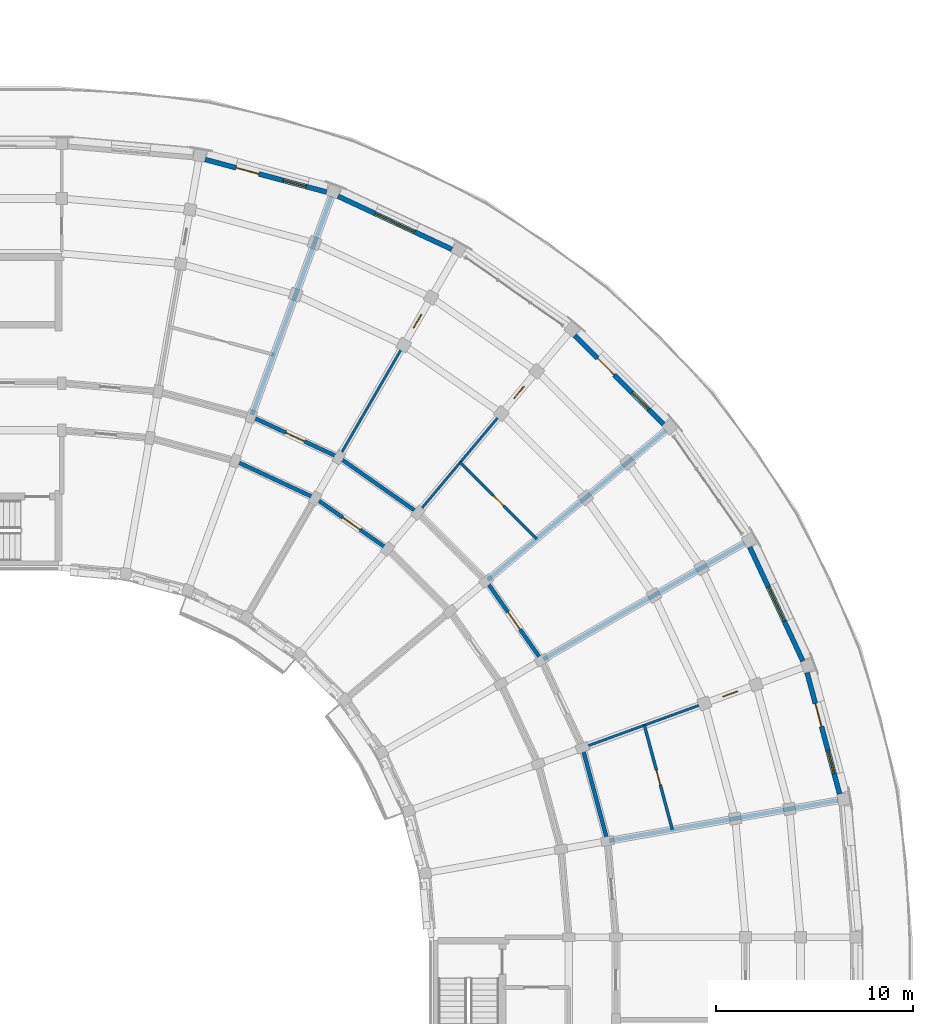
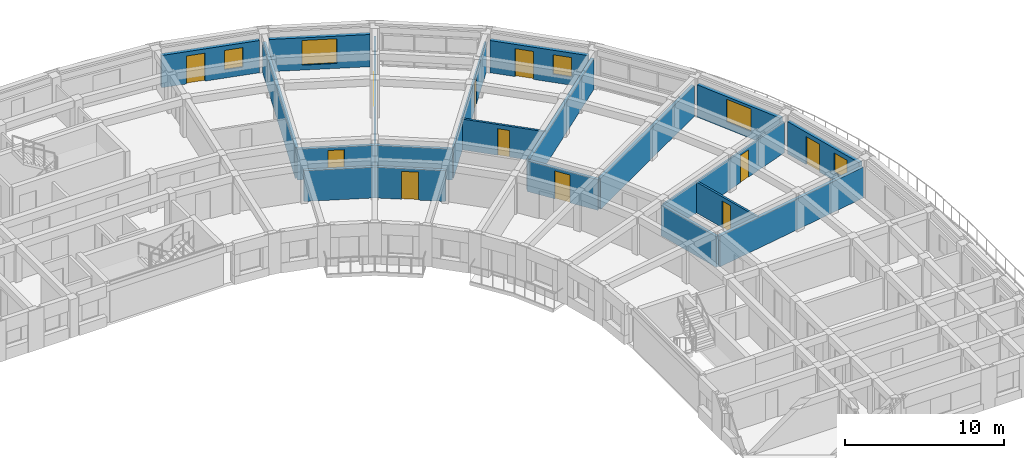
# One storey, part 27 of 41: 20 walls, 11 doors, 5 windows, 16 openings.
"""IFC4 building model written with IfcOpenShell, lengths in metres."""

from ifc_helpers import new_model, si_unit, direction, frame, frame_2d, origin, place, context, subcontext, project, spatial, rectangle, extrude, material, layer, layer_set, type_object, element, fill, save


model = new_model("IFC4")

# Units and contexts
model_context = context("Model", 3, precision=1e-05, world=origin(), true_north=direction((0.0, 1.0)))
body_context = subcontext(model_context, "Body", "Model", "MODEL_VIEW")
ifc_project = project(units=[si_unit("LENGTHUNIT", "METRE"), si_unit("AREAUNIT", "SQUARE_METRE"), si_unit("VOLUMEUNIT", "CUBIC_METRE"), si_unit("PLANEANGLEUNIT", "RADIAN"), si_unit("MASSUNIT", "GRAM", prefix="KILO")], contexts=[model_context])

# Site, building, storey
site_placement = place(None, origin())
site = spatial("IfcSite", under=ifc_project, at=site_placement, CompositionType="ELEMENT")
building_placement = place(site_placement, origin())
building = spatial("IfcBuilding", under=site, at=building_placement, Name="Kiranvali Square Residences", CompositionType="ELEMENT")
storey_placement = place(building_placement, frame((0.0, 0.0, 33.89990234375)))
storey = spatial("IfcBuildingStorey", under=building, at=storey_placement, Name="L10", CompositionType="ELEMENT", Elevation=33.89990234375)

# Wall
ifc_material_1 = material(Name="Autoclaved aerated concrete blockwork masonry", Category="masonry")
ifc_layer_1 = layer(ifc_material_1, 0.199951171875)
ifc_layer_set_1 = layer_set([ifc_layer_1], Name="Autoclaved aerated concrete blockwork masonry")
wall_type_1 = type_object("IfcWallType", Name="WL-COR-200", PredefinedType="STANDARD", material=ifc_layer_set_1)
wall_1_placement = place(storey_placement, frame((128.6240234375, 112.044189453125, 0.0), z_axis=(0.0, 0.0, 1.0), x_axis=(0.906307919131, -0.422617978463, 0.0)))
element("IfcWall", 1, at=wall_1_placement, inside=storey, type_object=wall_type_1, Name="L10 architectural wall WL-L10-B-CCI-2", PredefinedType="STANDARD", context=body_context, shape_type="SweptSolid", body=[
    extrude(rectangle(XDim=4.497314453125, YDim=0.199951171875, at=frame_2d((2.24853515625, 0.0))), origin(), (0.0, 0.0, 1.0), 2.3720703125),
])

# Wall, opening, door
wall_2_placement = place(storey_placement, frame((129.445068359375, 114.29931640625, 0.0), z_axis=(0.0, 0.0, 1.0), x_axis=(0.906302381024, -0.422629854778, 0.0)))
wall_2 = element("IfcWall", 2, at=wall_2_placement, inside=storey, type_object=wall_type_1, Name="L10 architectural wall WL-L10-B-CCO-2", PredefinedType="STANDARD", context=body_context, shape_type="SweptSolid", body=[
    extrude(rectangle(XDim=4.915283203125, YDim=0.199951171875, at=frame_2d((2.45751953125, 0.0))), origin(), (0.0, 0.0, 1.0), 2.3720703125),
])
opening_1_placement = place(wall_2_placement, frame((1.937744140625, 0.0, 0.0)))
opening_1 = element("IfcOpeningElement", 3, at=opening_1_placement, cuts=wall_2, Name="Opening FD-APT-60B", PredefinedType="OPENING", context=body_context, shape_type="SweptSolid", body=[
    extrude(rectangle(XDim=1.0400390625, YDim=2.14990234375, at=frame_2d((0.52001953125, 1.074951171875))), frame((0.0, 0.10986328125, 0.0), z_axis=(0.0, -1.0, 0.0), x_axis=(1.0, 0.0, 0.0)), (0.0, 0.0, 1.0), 0.219970703125),
])
ifc_material_2 = material(Name="Fire-rated acoustic hardwood and mineral-core door assembly", Category="wood")
door_type_1 = type_object("IfcDoorType", Name="DR-APT-1040", OperationType="NOTDEFINED", PredefinedType="DOOR", material=ifc_material_2)
door_1_placement = place(opening_1_placement, origin())
door_1 = element("IfcDoor", 4, at=door_1_placement, inside=storey, type_object=door_type_1, Name="L10 door DR-L10-1611 (DR-APT-1040)", OperationType="SINGLE_SWING_LEFT", OverallHeight=2.14990234375, OverallWidth=1.0400390625, PredefinedType="DOOR", context=body_context, shape_type="SweptSolid", body=[
    extrude(rectangle(XDim=1.0400390625, YDim=2.14990234375, at=frame_2d((0.52001953125, 1.074951171875))), frame((0.0, 0.02490234375, 0.0), z_axis=(0.0, -1.0, 0.0), x_axis=(1.0, 0.0, 0.0)), (0.0, 0.0, 1.0), 0.050048828125),
])
fill(opening_1, door_1)

wall_3_placement = place(storey_placement, frame((132.699951171875, 110.1435546875, 0.0), z_axis=(0.0, 0.0, 1.0), x_axis=(0.819155404658, -0.573571637217, 0.0)))
wall_3 = element("IfcWall", 5, at=wall_3_placement, inside=storey, type_object=wall_type_1, Name="L10 architectural wall WL-L10-B-CCI-3", PredefinedType="STANDARD", context=body_context, shape_type="SweptSolid", body=[
    extrude(rectangle(XDim=4.497314453125, YDim=0.199951171875, at=frame_2d((2.24853515625, 0.0))), origin(), (0.0, 0.0, 1.0), 2.3720703125),
])
opening_2_placement = place(wall_3_placement, frame((1.708740234375, 0.0, 0.0)))
opening_2 = element("IfcOpeningElement", 6, at=opening_2_placement, cuts=wall_3, Name="Opening FD-APT-60C", PredefinedType="OPENING", context=body_context, shape_type="SweptSolid", body=[
    extrude(rectangle(XDim=1.080078125, YDim=2.14990234375, at=frame_2d((0.5400390625, 1.074951171875))), frame((0.0, 0.10986328125, 0.0), z_axis=(0.0, -1.0, 0.0), x_axis=(1.0, 0.0, 0.0)), (0.0, 0.0, 1.0), 0.219970703125),
])
door_type_2 = type_object("IfcDoorType", Name="DR-APT-1080", OperationType="NOTDEFINED", PredefinedType="DOOR", material=ifc_material_2)
door_2_placement = place(opening_2_placement, frame((1.080078125, 0.0, 0.0), z_axis=(0.0, 0.0, 1.0), x_axis=(-1.0, 0.0, 0.0)))
door_2 = element("IfcDoor", 7, at=door_2_placement, inside=storey, type_object=door_type_2, Name="L10 door DR-L10-1618 (DR-APT-1080)", OperationType="SINGLE_SWING_RIGHT", OverallHeight=2.14990234375, OverallWidth=1.080078125, PredefinedType="DOOR", context=body_context, shape_type="SweptSolid", body=[
    extrude(rectangle(XDim=1.080078125, YDim=2.14990234375, at=frame_2d((0.5400390625, 1.074951171875))), frame((0.0, 0.02490234375, 0.0), z_axis=(0.0, -1.0, 0.0), x_axis=(1.0, 0.0, 0.0)), (0.0, 0.0, 1.0), 0.050048828125),
])
fill(opening_2, door_2)

# Wall
wall_4_placement = place(storey_placement, frame((133.89990234375, 112.221923828125, 0.0), z_axis=(0.0, 0.0, 1.0), x_axis=(0.819140911474, -0.573592335331, 0.0)))
element("IfcWall", 8, at=wall_4_placement, inside=storey, type_object=wall_type_1, Name="L10 architectural wall WL-L10-B-CCO-3", PredefinedType="STANDARD", context=body_context, shape_type="SweptSolid", body=[
    extrude(rectangle(XDim=4.915771484375, YDim=0.199951171875, at=frame_2d((2.4580078125, 0.0))), origin(), (0.0, 0.0, 1.0), 2.3720703125),
])

# Wall, opening, door
wall_5_placement = place(storey_placement, frame((141.40234375, 105.926513671875, 0.0), z_axis=(0.0, 0.0, 1.0), x_axis=(0.573592335331, -0.819140911474, 0.0)))
wall_5 = element("IfcWall", 9, at=wall_5_placement, inside=storey, type_object=wall_type_1, Name="L10 architectural wall WL-L10-B-CCO-5", PredefinedType="STANDARD", context=body_context, shape_type="SweptSolid", body=[
    extrude(rectangle(XDim=4.915771484375, YDim=0.199951171875, at=frame_2d((2.4580078125, 0.0))), origin(), (0.0, 0.0, 1.0), 2.3720703125),
])
opening_3_placement = place(wall_5_placement, frame((1.917724609375, 0.0, 0.0)))
opening_3 = element("IfcOpeningElement", 10, at=opening_3_placement, cuts=wall_5, Name="Opening FD-APT-60C", PredefinedType="OPENING", context=body_context, shape_type="SweptSolid", body=[
    extrude(rectangle(XDim=1.080078125, YDim=2.14990234375, at=frame_2d((0.5400390625, 1.074951171875))), frame((0.0, 0.10986328125, 0.0), z_axis=(0.0, -1.0, 0.0), x_axis=(1.0, 0.0, 0.0)), (0.0, 0.0, 1.0), 0.219970703125),
])
door_3_placement = place(opening_3_placement, origin())
door_3 = element("IfcDoor", 11, at=door_3_placement, inside=storey, type_object=door_type_2, Name="L10 door DR-L10-1613 (DR-APT-1080)", OperationType="SINGLE_SWING_LEFT", OverallHeight=2.14990234375, OverallWidth=1.080078125, PredefinedType="DOOR", context=body_context, shape_type="SweptSolid", body=[
    extrude(rectangle(XDim=1.080078125, YDim=2.14990234375, at=frame_2d((0.5400390625, 1.074951171875))), frame((0.0, 0.02490234375, 0.0), z_axis=(0.0, -1.0, 0.0), x_axis=(1.0, 0.0, 0.0)), (0.0, 0.0, 1.0), 0.050048828125),
])
fill(opening_3, door_3)

# Walls
wall_6_placement = place(storey_placement, frame((146.29931640625, 97.445068359375, 0.0), z_axis=(0.0, 0.0, 1.0), x_axis=(0.258803112091, -0.965930095386, 0.0)))
element("IfcWall", 12, at=wall_6_placement, inside=storey, type_object=wall_type_1, Name="L10 architectural wall WL-L10-B-CCO-7", PredefinedType="STANDARD", context=body_context, shape_type="SweptSolid", body=[
    extrude(rectangle(XDim=4.915771484375, YDim=0.199951171875, at=frame_2d((2.4580078125, 0.0))), origin(), (0.0, 0.0, 1.0), 2.3720703125),
])
ifc_layer_2 = layer(ifc_material_1, 0.219970703125)
ifc_layer_set_2 = layer_set([ifc_layer_2], Name="Autoclaved aerated concrete blockwork masonry")
wall_type_2 = type_object("IfcWallType", Name="WL-DEM-220", PredefinedType="STANDARD", material=ifc_layer_set_2)
wall_7_placement = place(storey_placement, frame((129.479248046875, 114.393310546875, 0.0), z_axis=(0.0, 0.0, 1.0), x_axis=(0.342005081534, 0.939698102693, 0.0)))
element("IfcWall", 13, at=wall_7_placement, inside=storey, type_object=wall_type_2, Name="L10 architectural wall WL-L10-B-RADO-2", PredefinedType="STANDARD", context=body_context, shape_type="SweptSolid", body=[
    extrude(rectangle(XDim=11.81982421875, YDim=0.219970703125, at=frame_2d((5.909912109375, 0.0))), origin(), (0.0, 0.0, 1.0), 2.3720703125),
])
for number, where, z_axis, x_axis, name in (
    (14, (141.47900390625, 105.990966796875, 0.0), (0.0, 0.0, 1.0), (0.766049804211, 0.642781220531, 0.0), "L10 architectural wall WL-L10-B-RADO-5"),
    (15, (144.30859375, 101.949951171875, 0.0), (0.0, 0.0, 1.0), (0.866017730655, 0.500013290014, 0.0), "L10 architectural wall WL-L10-B-RADO-6"),
    (16, (147.670166015625, 92.71435546875, 0.0), (0.0, 0.0, 1.0), (0.984808085438, 0.173646292378, 0.0), "L10 architectural wall WL-L10-B-RADO-8"),
):
    element("IfcWall", number, at=place(storey_placement, frame(where, z_axis=z_axis, x_axis=x_axis)), inside=storey, type_object=wall_type_2, Name=name, PredefinedType="STANDARD", context=body_context, shape_type="SweptSolid", body=[
        extrude(rectangle(XDim=11.820068359375, YDim=0.219970703125, at=frame_2d((5.91015625, 0.0))), origin(), (0.0, 0.0, 1.0), 2.3720703125),
    ])

# Wall, openings, door, window
ifc_material_3 = material(Name="Breathable lime-rendered clay brick masonry", Category="masonry")
ifc_layer_3 = layer(ifc_material_3, 0.25)
ifc_layer_set_3 = layer_set([ifc_layer_3], Name="Breathable lime-rendered clay brick masonry")
wall_type_3 = type_object("IfcWallType", Name="WL-EXT-250", PredefinedType="STANDARD", material=ifc_layer_set_3)
wall_8_placement = place(storey_placement, frame((127.09765625, 127.381103515625, 0.0), z_axis=(0.0, 0.0, 1.0), x_axis=(0.965926736728, -0.258815647274, 0.0)))
wall_8 = element("IfcWall", 17, at=wall_8_placement, inside=storey, type_object=wall_type_3, Name="L10 exterior wall B-L10-CRV-01", PredefinedType="STANDARD", context=body_context, shape_type="SweptSolid", body=[
    extrude(rectangle(XDim=6.390869140625, YDim=0.25, at=frame_2d((3.1953125, 0.0))), origin(), (0.0, 0.0, 1.0), 2.47998046875),
])
opening_4_placement = place(wall_8_placement, frame((4.11767578125, 0.0, 0.6298828125)))
opening_4 = element("IfcOpeningElement", 18, at=opening_4_placement, cuts=wall_8, Name="Opening W-06", PredefinedType="OPENING", context=body_context, shape_type="SweptSolid", body=[
    extrude(rectangle(XDim=1.199951171875, YDim=1.5, at=frame_2d((0.60009765625, 0.75))), frame((0.0, 0.135009765625, 0.0), z_axis=(0.0, -1.0, 0.0), x_axis=(1.0, 0.0, 0.0)), (0.0, 0.0, 1.0), 0.27001953125),
])
opening_5_placement = place(wall_8_placement, frame((1.63671875, 0.0, 0.0)))
opening_5 = element("IfcOpeningElement", 19, at=opening_5_placement, cuts=wall_8, Name="Opening ED-BAL-1", PredefinedType="OPENING", context=body_context, shape_type="SweptSolid", body=[
    extrude(rectangle(XDim=1.199951171875, YDim=2.14990234375, at=frame_2d((0.60009765625, 1.074951171875))), frame((0.0, 0.135009765625, 0.0), z_axis=(0.0, -1.0, 0.0), x_axis=(1.0, 0.0, 0.0)), (0.0, 0.0, 1.0), 0.27001953125),
])
ifc_material_4 = material(Name="Anodised bronze aluminium framing", Category="aluminium")
door_type_3 = type_object("IfcDoorType", Name="DR-BAL-1200", OperationType="NOTDEFINED", PredefinedType="DOOR", material=ifc_material_4)
door_4_placement = place(opening_5_placement, origin())
door_4 = element("IfcDoor", 20, at=door_4_placement, inside=storey, type_object=door_type_3, Name="L10 balcony terrace door", OperationType="SINGLE_SWING_RIGHT", OverallHeight=2.14990234375, OverallWidth=1.199951171875, PredefinedType="DOOR", context=body_context, shape_type="SweptSolid", body=[
    extrude(rectangle(XDim=1.199951171875, YDim=2.14990234375, at=frame_2d((0.60009765625, 1.074951171875))), frame((0.0, 0.02490234375, 0.0), z_axis=(0.0, -1.0, 0.0), x_axis=(1.0, 0.0, 0.0)), (0.0, 0.0, 1.0), 0.050048828125),
])
fill(opening_5, door_4)
ifc_material_5 = material(Name="Solar-control low-e double glazing", Category="glass")
window_type_1 = type_object("IfcWindowType", Name="WIN-RES-1200x1500", PartitioningType="SINGLE_PANEL", PredefinedType="WINDOW", material=ifc_material_5)
window_1_placement = place(opening_4_placement, origin())
window_1 = element("IfcWindow", 21, at=window_1_placement, inside=storey, type_object=window_type_1, Name="L10 recessed window B-L10-CRV-01", OverallHeight=1.5, OverallWidth=1.199951171875, PartitioningType="SINGLE_PANEL", PredefinedType="WINDOW", context=body_context, shape_type="SweptSolid", body=[
    extrude(rectangle(XDim=1.199951171875, YDim=1.5, at=frame_2d((0.60009765625, 0.75))), frame((0.0, 0.030029296875, 0.0), z_axis=(0.0, -1.0, 0.0), x_axis=(1.0, 0.0, 0.0)), (0.0, 0.0, 1.0), 0.06005859375),
])
fill(opening_4, window_1)

# Wall, opening, window
wall_9_placement = place(storey_placement, frame((133.85986328125, 125.5126953125, 0.0), z_axis=(0.0, 0.0, 1.0), x_axis=(0.906309969922, -0.422613580495, 0.0)))
wall_9 = element("IfcWall", 22, at=wall_9_placement, inside=storey, type_object=wall_type_3, Name="L10 exterior wall B-L10-CRV-02", PredefinedType="STANDARD", context=body_context, shape_type="SweptSolid", body=[
    extrude(rectangle(XDim=6.39111328125, YDim=0.25, at=frame_2d((3.195556640625, 0.0))), origin(), (0.0, 0.0, 1.0), 2.47998046875),
])
opening_6_placement = place(wall_9_placement, frame((2.095458984375, 0.0, 0.3798828125)))
opening_6 = element("IfcOpeningElement", 23, at=opening_6_placement, cuts=wall_9, Name="Opening W-20", PredefinedType="OPENING", context=body_context, shape_type="SweptSolid", body=[
    extrude(rectangle(XDim=2.199951171875, YDim=1.89990234375, at=frame_2d((1.10009765625, 0.949951171875))), frame((0.0, 0.135009765625, 0.0), z_axis=(0.0, -1.0, 0.0), x_axis=(1.0, 0.0, 0.0)), (0.0, 0.0, 1.0), 0.27001953125),
])
window_type_2 = type_object("IfcWindowType", Name="WIN-TER-2200x1900", PartitioningType="TRIPLE_PANEL_VERTICAL", PredefinedType="WINDOW", material=ifc_material_5)
window_2_placement = place(opening_6_placement, origin())
window_2 = element("IfcWindow", 24, at=window_2_placement, inside=storey, type_object=window_type_2, Name="L10 recessed window B-L10-CRV-02", OverallHeight=1.89990234375, OverallWidth=2.199951171875, PartitioningType="TRIPLE_PANEL_VERTICAL", PredefinedType="WINDOW", context=body_context, shape_type="SweptSolid", body=[
    extrude(rectangle(XDim=2.199951171875, YDim=1.89990234375, at=frame_2d((1.10009765625, 0.949951171875))), frame((0.0, 0.030029296875, 0.0), z_axis=(0.0, -1.0, 0.0), x_axis=(1.0, 0.0, 0.0)), (0.0, 0.0, 1.0), 0.06005859375),
])
fill(opening_6, window_2)

# Wall, openings, door, window
wall_10_placement = place(storey_placement, frame((145.910400390625, 118.429443359375, 0.0), z_axis=(0.0, 0.0, 1.0), x_axis=(0.707106781187, -0.707106781187, 0.0)))
wall_10 = element("IfcWall", 25, at=wall_10_placement, inside=storey, type_object=wall_type_3, Name="L10 exterior wall B-L10-CRV-04", PredefinedType="STANDARD", context=body_context, shape_type="SweptSolid", body=[
    extrude(rectangle(XDim=6.390869140625, YDim=0.25, at=frame_2d((3.1953125, 0.0))), origin(), (0.0, 0.0, 1.0), 2.47998046875),
])
opening_7_placement = place(wall_10_placement, frame((4.11767578125, 0.0, 0.6298828125)))
opening_7 = element("IfcOpeningElement", 26, at=opening_7_placement, cuts=wall_10, Name="Opening W-06", PredefinedType="OPENING", context=body_context, shape_type="SweptSolid", body=[
    extrude(rectangle(XDim=1.199951171875, YDim=1.5, at=frame_2d((0.60009765625, 0.75))), frame((0.0, 0.135009765625, 0.0), z_axis=(0.0, -1.0, 0.0), x_axis=(1.0, 0.0, 0.0)), (0.0, 0.0, 1.0), 0.27001953125),
])
opening_8_placement = place(wall_10_placement, frame((1.63671875, 0.0, 0.0)))
opening_8 = element("IfcOpeningElement", 27, at=opening_8_placement, cuts=wall_10, Name="Opening ED-BAL-1", PredefinedType="OPENING", context=body_context, shape_type="SweptSolid", body=[
    extrude(rectangle(XDim=1.199951171875, YDim=2.14990234375, at=frame_2d((0.60009765625, 1.074951171875))), frame((0.0, 0.135009765625, 0.0), z_axis=(0.0, -1.0, 0.0), x_axis=(1.0, 0.0, 0.0)), (0.0, 0.0, 1.0), 0.27001953125),
])
door_5_placement = place(opening_8_placement, origin())
door_5 = element("IfcDoor", 28, at=door_5_placement, inside=storey, type_object=door_type_3, Name="L10 balcony terrace door", OperationType="SINGLE_SWING_LEFT", OverallHeight=2.14990234375, OverallWidth=1.199951171875, PredefinedType="DOOR", context=body_context, shape_type="SweptSolid", body=[
    extrude(rectangle(XDim=1.199951171875, YDim=2.14990234375, at=frame_2d((0.60009765625, 1.074951171875))), frame((0.0, 0.02490234375, 0.0), z_axis=(0.0, -1.0, 0.0), x_axis=(1.0, 0.0, 0.0)), (0.0, 0.0, 1.0), 0.050048828125),
])
fill(opening_8, door_5)
window_3_placement = place(opening_7_placement, origin())
window_3 = element("IfcWindow", 29, at=window_3_placement, inside=storey, type_object=window_type_1, Name="L10 recessed window B-L10-CRV-04", OverallHeight=1.5, OverallWidth=1.199951171875, PartitioningType="SINGLE_PANEL", PredefinedType="WINDOW", context=body_context, shape_type="SweptSolid", body=[
    extrude(rectangle(XDim=1.199951171875, YDim=1.5, at=frame_2d((0.60009765625, 0.75))), frame((0.0, 0.030029296875, 0.0), z_axis=(0.0, -1.0, 0.0), x_axis=(1.0, 0.0, 0.0)), (0.0, 0.0, 1.0), 0.06005859375),
])
fill(opening_7, window_3)

# Wall, opening, window
wall_11_placement = place(storey_placement, frame((154.811767578125, 107.652099609375, 0.0), z_axis=(0.0, 0.0, 1.0), x_axis=(0.422613580495, -0.906309969922, 0.0)))
wall_11 = element("IfcWall", 30, at=wall_11_placement, inside=storey, type_object=wall_type_3, Name="L10 exterior wall B-L10-CRV-06", PredefinedType="STANDARD", context=body_context, shape_type="SweptSolid", body=[
    extrude(rectangle(XDim=6.39111328125, YDim=0.25, at=frame_2d((3.195556640625, 0.0))), origin(), (0.0, 0.0, 1.0), 2.47998046875),
])
opening_9_placement = place(wall_11_placement, frame((2.245361328125, 0.0, 0.530029296875)))
opening_9 = element("IfcOpeningElement", 31, at=opening_9_placement, cuts=wall_11, Name="Opening W-21", PredefinedType="OPENING", context=body_context, shape_type="SweptSolid", body=[
    extrude(rectangle(XDim=1.89990234375, YDim=1.75, at=frame_2d((0.949951171875, 0.875))), frame((0.0, 0.135009765625, 0.0), z_axis=(0.0, -1.0, 0.0), x_axis=(1.0, 0.0, 0.0)), (0.0, 0.0, 1.0), 0.27001953125),
])
window_type_3 = type_object("IfcWindowType", Name="WIN-TER-1900x1750", PartitioningType="DOUBLE_PANEL_VERTICAL", PredefinedType="WINDOW", material=ifc_material_5)
window_4_placement = place(opening_9_placement, origin())
window_4 = element("IfcWindow", 32, at=window_4_placement, inside=storey, type_object=window_type_3, Name="L10 recessed window B-L10-CRV-06", OverallHeight=1.75, OverallWidth=1.89990234375, PartitioningType="DOUBLE_PANEL_VERTICAL", PredefinedType="WINDOW", context=body_context, shape_type="SweptSolid", body=[
    extrude(rectangle(XDim=1.89990234375, YDim=1.75, at=frame_2d((0.949951171875, 0.875))), frame((0.0, 0.030029296875, 0.0), z_axis=(0.0, -1.0, 0.0), x_axis=(1.0, 0.0, 0.0)), (0.0, 0.0, 1.0), 0.06005859375),
])
fill(opening_9, window_4)

# Wall, openings, door, window
wall_12_placement = place(storey_placement, frame((157.72705078125, 101.270751953125, 0.0), z_axis=(0.0, 0.0, 1.0), x_axis=(0.258815647274, -0.965926736728, 0.0)))
wall_12 = element("IfcWall", 33, at=wall_12_placement, inside=storey, type_object=wall_type_3, Name="L10 exterior wall B-L10-CRV-07", PredefinedType="STANDARD", context=body_context, shape_type="SweptSolid", body=[
    extrude(rectangle(XDim=6.390869140625, YDim=0.25, at=frame_2d((3.1953125, 0.0))), origin(), (0.0, 0.0, 1.0), 2.47998046875),
])
opening_10_placement = place(wall_12_placement, frame((4.11767578125, 0.0, 0.6298828125)))
opening_10 = element("IfcOpeningElement", 34, at=opening_10_placement, cuts=wall_12, Name="Opening W-06", PredefinedType="OPENING", context=body_context, shape_type="SweptSolid", body=[
    extrude(rectangle(XDim=1.199951171875, YDim=1.5, at=frame_2d((0.60009765625, 0.75))), frame((0.0, 0.135009765625, 0.0), z_axis=(0.0, -1.0, 0.0), x_axis=(1.0, 0.0, 0.0)), (0.0, 0.0, 1.0), 0.27001953125),
])
opening_11_placement = place(wall_12_placement, frame((1.63671875, 0.0, 0.0)))
opening_11 = element("IfcOpeningElement", 35, at=opening_11_placement, cuts=wall_12, Name="Opening ED-BAL-1", PredefinedType="OPENING", context=body_context, shape_type="SweptSolid", body=[
    extrude(rectangle(XDim=1.199951171875, YDim=2.14990234375, at=frame_2d((0.60009765625, 1.074951171875))), frame((0.0, 0.135009765625, 0.0), z_axis=(0.0, -1.0, 0.0), x_axis=(1.0, 0.0, 0.0)), (0.0, 0.0, 1.0), 0.27001953125),
])
door_6_placement = place(opening_11_placement, origin())
door_6 = element("IfcDoor", 36, at=door_6_placement, inside=storey, type_object=door_type_3, Name="L10 balcony terrace door", OperationType="SINGLE_SWING_RIGHT", OverallHeight=2.14990234375, OverallWidth=1.199951171875, PredefinedType="DOOR", context=body_context, shape_type="SweptSolid", body=[
    extrude(rectangle(XDim=1.199951171875, YDim=2.14990234375, at=frame_2d((0.60009765625, 1.074951171875))), frame((0.0, 0.02490234375, 0.0), z_axis=(0.0, -1.0, 0.0), x_axis=(1.0, 0.0, 0.0)), (0.0, 0.0, 1.0), 0.050048828125),
])
fill(opening_11, door_6)
window_5_placement = place(opening_10_placement, origin())
window_5 = element("IfcWindow", 37, at=window_5_placement, inside=storey, type_object=window_type_1, Name="L10 recessed window B-L10-CRV-07", OverallHeight=1.5, OverallWidth=1.199951171875, PartitioningType="SINGLE_PANEL", PredefinedType="WINDOW", context=body_context, shape_type="SweptSolid", body=[
    extrude(rectangle(XDim=1.199951171875, YDim=1.5, at=frame_2d((0.60009765625, 0.75))), frame((0.0, 0.030029296875, 0.0), z_axis=(0.0, -1.0, 0.0), x_axis=(1.0, 0.0, 0.0)), (0.0, 0.0, 1.0), 0.06005859375),
])
fill(opening_10, window_5)

# Wall, opening, door
ifc_material_6 = material(Name="Acoustic gypsum board drylined partition", Category="gypsum")
ifc_layer_4 = layer(ifc_material_6, 0.125)
ifc_layer_set_4 = layer_set([ifc_layer_4], Name="Acoustic gypsum board drylined partition")
wall_type_4 = type_object("IfcWallType", Name="WL-PRT-125", PredefinedType="PARTITIONING", material=ifc_layer_set_4)
wall_13_placement = place(storey_placement, frame((133.949951171875, 112.30859375, 0.0), z_axis=(0.0, 0.0, 1.0), x_axis=(0.500013290014, 0.866017730655, 0.0)))
wall_13 = element("IfcWall", 38, at=wall_13_placement, inside=storey, type_object=wall_type_4, Name="L10 architectural wall WL-L10-B-RADO-3", PredefinedType="PARTITIONING", context=body_context, shape_type="SweptSolid", body=[
    extrude(rectangle(XDim=11.820068359375, YDim=0.125, at=frame_2d((5.91015625, 0.0))), origin(), (0.0, 0.0, 1.0), 2.3720703125),
])
opening_12_placement = place(wall_13_placement, frame((7.50048828125, 0.0, 0.0)))
opening_12 = element("IfcOpeningElement", 39, at=opening_12_placement, cuts=wall_13, Name="Opening ID-WET", PredefinedType="OPENING", context=body_context, shape_type="SweptSolid", body=[
    extrude(rectangle(XDim=0.800048828125, YDim=2.10009765625, at=frame_2d((0.39990234375, 1.050048828125))), frame((0.0, 0.072509765625, 0.0), z_axis=(0.0, -1.0, 0.0), x_axis=(1.0, 0.0, 0.0)), (0.0, 0.0, 1.0), 0.14501953125),
])
ifc_material_7 = material(Name="Solid seasoned teak hardwood joinery", Category="wood")
door_type_4 = type_object("IfcDoorType", Name="DR-WET-800", OperationType="NOTDEFINED", PredefinedType="DOOR", material=ifc_material_7)
door_7_placement = place(opening_12_placement, frame((0.800048828125, 0.0, 0.0), z_axis=(0.0, 0.0, 1.0), x_axis=(-1.0, 0.0, 0.0)))
door_7 = element("IfcDoor", 40, at=door_7_placement, inside=storey, type_object=door_type_4, Name="L10 door DR-L10-1606 (DR-WET-800)", OperationType="SINGLE_SWING_RIGHT", OverallHeight=2.10009765625, OverallWidth=0.800048828125, PredefinedType="DOOR", context=body_context, shape_type="SweptSolid", body=[
    extrude(rectangle(XDim=0.800048828125, YDim=2.10009765625, at=frame_2d((0.39990234375, 1.050048828125))), frame((0.0, 0.02490234375, 0.0), z_axis=(0.0, -1.0, 0.0), x_axis=(1.0, 0.0, 0.0)), (0.0, 0.0, 1.0), 0.050048828125),
])
fill(opening_12, door_7)

wall_14_placement = place(storey_placement, frame((137.990966796875, 109.47900390625, 0.0), z_axis=(0.0, 0.0, 1.0), x_axis=(0.642781220531, 0.766049804211, 0.0)))
wall_14 = element("IfcWall", 41, at=wall_14_placement, inside=storey, type_object=wall_type_4, Name="L10 architectural wall WL-L10-B-RADO-4", PredefinedType="PARTITIONING", context=body_context, shape_type="SweptSolid", body=[
    extrude(rectangle(XDim=11.820068359375, YDim=0.125, at=frame_2d((5.91015625, 0.0))), origin(), (0.0, 0.0, 1.0), 2.3720703125),
])
opening_13_placement = place(wall_14_placement, frame((7.50048828125, 0.0, 0.0)))
opening_13 = element("IfcOpeningElement", 42, at=opening_13_placement, cuts=wall_14, Name="Opening ID-WET", PredefinedType="OPENING", context=body_context, shape_type="SweptSolid", body=[
    extrude(rectangle(XDim=0.800048828125, YDim=2.10009765625, at=frame_2d((0.39990234375, 1.050048828125))), frame((0.0, 0.072509765625, 0.0), z_axis=(0.0, -1.0, 0.0), x_axis=(1.0, 0.0, 0.0)), (0.0, 0.0, 1.0), 0.14501953125),
])
door_8_placement = place(opening_13_placement, origin())
door_8 = element("IfcDoor", 43, at=door_8_placement, inside=storey, type_object=door_type_4, Name="L10 door DR-L10-1607 (DR-WET-800)", OperationType="SINGLE_SWING_LEFT", OverallHeight=2.10009765625, OverallWidth=0.800048828125, PredefinedType="DOOR", context=body_context, shape_type="SweptSolid", body=[
    extrude(rectangle(XDim=0.800048828125, YDim=2.10009765625, at=frame_2d((0.39990234375, 1.050048828125))), frame((0.0, 0.02490234375, 0.0), z_axis=(0.0, -1.0, 0.0), x_axis=(1.0, 0.0, 0.0)), (0.0, 0.0, 1.0), 0.050048828125),
])
fill(opening_13, door_8)

wall_15_placement = place(storey_placement, frame((146.393310546875, 97.479248046875, 0.0), z_axis=(0.0, 0.0, 1.0), x_axis=(0.939698102693, 0.342005081534, 0.0)))
wall_15 = element("IfcWall", 44, at=wall_15_placement, inside=storey, type_object=wall_type_4, Name="L10 architectural wall WL-L10-B-RADO-7", PredefinedType="PARTITIONING", context=body_context, shape_type="SweptSolid", body=[
    extrude(rectangle(XDim=11.81982421875, YDim=0.125, at=frame_2d((5.909912109375, 0.0))), origin(), (0.0, 0.0, 1.0), 2.3720703125),
])
opening_14_placement = place(wall_15_placement, frame((7.50048828125, 0.0, 0.0)))
opening_14 = element("IfcOpeningElement", 45, at=opening_14_placement, cuts=wall_15, Name="Opening ID-WET", PredefinedType="OPENING", context=body_context, shape_type="SweptSolid", body=[
    extrude(rectangle(XDim=0.800048828125, YDim=2.10009765625, at=frame_2d((0.39990234375, 1.050048828125))), frame((0.0, 0.072509765625, 0.0), z_axis=(0.0, -1.0, 0.0), x_axis=(1.0, 0.0, 0.0)), (0.0, 0.0, 1.0), 0.14501953125),
])
door_9_placement = place(opening_14_placement, frame((0.800048828125, 0.0, 0.0), z_axis=(0.0, 0.0, 1.0), x_axis=(-1.0, 0.0, 0.0)))
door_9 = element("IfcDoor", 46, at=door_9_placement, inside=storey, type_object=door_type_4, Name="L10 door DR-L10-1608 (DR-WET-800)", OperationType="SINGLE_SWING_RIGHT", OverallHeight=2.10009765625, OverallWidth=0.800048828125, PredefinedType="DOOR", context=body_context, shape_type="SweptSolid", body=[
    extrude(rectangle(XDim=0.800048828125, YDim=2.10009765625, at=frame_2d((0.39990234375, 1.050048828125))), frame((0.0, 0.02490234375, 0.0), z_axis=(0.0, -1.0, 0.0), x_axis=(1.0, 0.0, 0.0)), (0.0, 0.0, 1.0), 0.050048828125),
])
fill(opening_14, door_9)

ifc_layer_5 = layer(ifc_material_1, 0.14990234375)
ifc_layer_set_5 = layer_set([ifc_layer_5], Name="Autoclaved aerated concrete blockwork masonry")
wall_type_5 = type_object("IfcWallType", Name="WL-WET-150", PredefinedType="PLUMBINGWALL", material=ifc_layer_set_5)
wall_16_placement = place(storey_placement, frame((140.079833984375, 111.96875, 0.0), z_axis=(0.0, 0.0, 1.0), x_axis=(0.707106781187, -0.707106781187, 0.0)))
wall_16 = element("IfcWall", 47, at=wall_16_placement, inside=storey, type_object=wall_type_5, Name="L10 architectural wall WL-L10-B-CWET-4", PredefinedType="PLUMBINGWALL", context=body_context, shape_type="SweptSolid", body=[
    extrude(rectangle(XDim=5.499755859375, YDim=0.14990234375, at=frame_2d((2.75, 0.0))), origin(), (0.0, 0.0, 1.0), 2.3720703125),
])
opening_15_placement = place(wall_16_placement, frame((2.369873046875, 0.0, 0.0)))
opening_15 = element("IfcOpeningElement", 48, at=opening_15_placement, cuts=wall_16, Name="Opening ID-WET0", PredefinedType="OPENING", context=body_context, shape_type="SweptSolid", body=[
    extrude(rectangle(XDim=0.760009765625, YDim=2.050048828125, at=frame_2d((0.3798828125, 1.02490234375))), frame((0.0, 0.0849609375, 0.0), z_axis=(0.0, -1.0, 0.0), x_axis=(1.0, 0.0, 0.0)), (0.0, 0.0, 1.0), 0.169921875),
])
door_type_5 = type_object("IfcDoorType", Name="DR-WET-760", OperationType="NOTDEFINED", PredefinedType="DOOR", material=ifc_material_7)
door_10_placement = place(opening_15_placement, frame((0.760009765625, 0.0, 0.0), z_axis=(0.0, 0.0, 1.0), x_axis=(-1.0, 0.0, 0.0)))
door_10 = element("IfcDoor", 49, at=door_10_placement, inside=storey, type_object=door_type_5, Name="L10 door DR-L10-1612 (DR-WET-760)", OperationType="SINGLE_SWING_RIGHT", OverallHeight=2.050048828125, OverallWidth=0.760009765625, PredefinedType="DOOR", context=body_context, shape_type="SweptSolid", body=[
    extrude(rectangle(XDim=0.760009765625, YDim=2.050048828125, at=frame_2d((0.3798828125, 1.02490234375))), frame((0.0, 0.02490234375, 0.0), z_axis=(0.0, -1.0, 0.0), x_axis=(1.0, 0.0, 0.0)), (0.0, 0.0, 1.0), 0.050048828125),
])
fill(opening_15, door_10)

wall_17_placement = place(storey_placement, frame((149.447265625, 98.5908203125, 0.0), z_axis=(0.0, 0.0, 1.0), x_axis=(0.258806351229, -0.965929227513, 0.0)))
wall_17 = element("IfcWall", 50, at=wall_17_placement, inside=storey, type_object=wall_type_5, Name="L10 architectural wall WL-L10-B-CWET-7", PredefinedType="PLUMBINGWALL", context=body_context, shape_type="SweptSolid", body=[
    extrude(rectangle(XDim=5.49951171875, YDim=0.14990234375, at=frame_2d((2.749755859375, 0.0))), origin(), (0.0, 0.0, 1.0), 2.3720703125),
])
opening_16_placement = place(wall_17_placement, frame((2.369873046875, 0.0, 0.0)))
opening_16 = element("IfcOpeningElement", 51, at=opening_16_placement, cuts=wall_17, Name="Opening ID-WET0", PredefinedType="OPENING", context=body_context, shape_type="SweptSolid", body=[
    extrude(rectangle(XDim=0.760009765625, YDim=2.050048828125, at=frame_2d((0.3798828125, 1.02490234375))), frame((0.0, 0.0849609375, 0.0), z_axis=(0.0, -1.0, 0.0), x_axis=(1.0, 0.0, 0.0)), (0.0, 0.0, 1.0), 0.169921875),
])
door_11_placement = place(opening_16_placement, origin())
door_11 = element("IfcDoor", 52, at=door_11_placement, inside=storey, type_object=door_type_5, Name="L10 door DR-L10-1615 (DR-WET-760)", OperationType="SINGLE_SWING_LEFT", OverallHeight=2.050048828125, OverallWidth=0.760009765625, PredefinedType="DOOR", context=body_context, shape_type="SweptSolid", body=[
    extrude(rectangle(XDim=0.760009765625, YDim=2.050048828125, at=frame_2d((0.3798828125, 1.02490234375))), frame((0.0, 0.02490234375, 0.0), z_axis=(0.0, -1.0, 0.0), x_axis=(1.0, 0.0, 0.0)), (0.0, 0.0, 1.0), 0.050048828125),
])
fill(opening_16, door_11)

save(model, "model.ifc")
